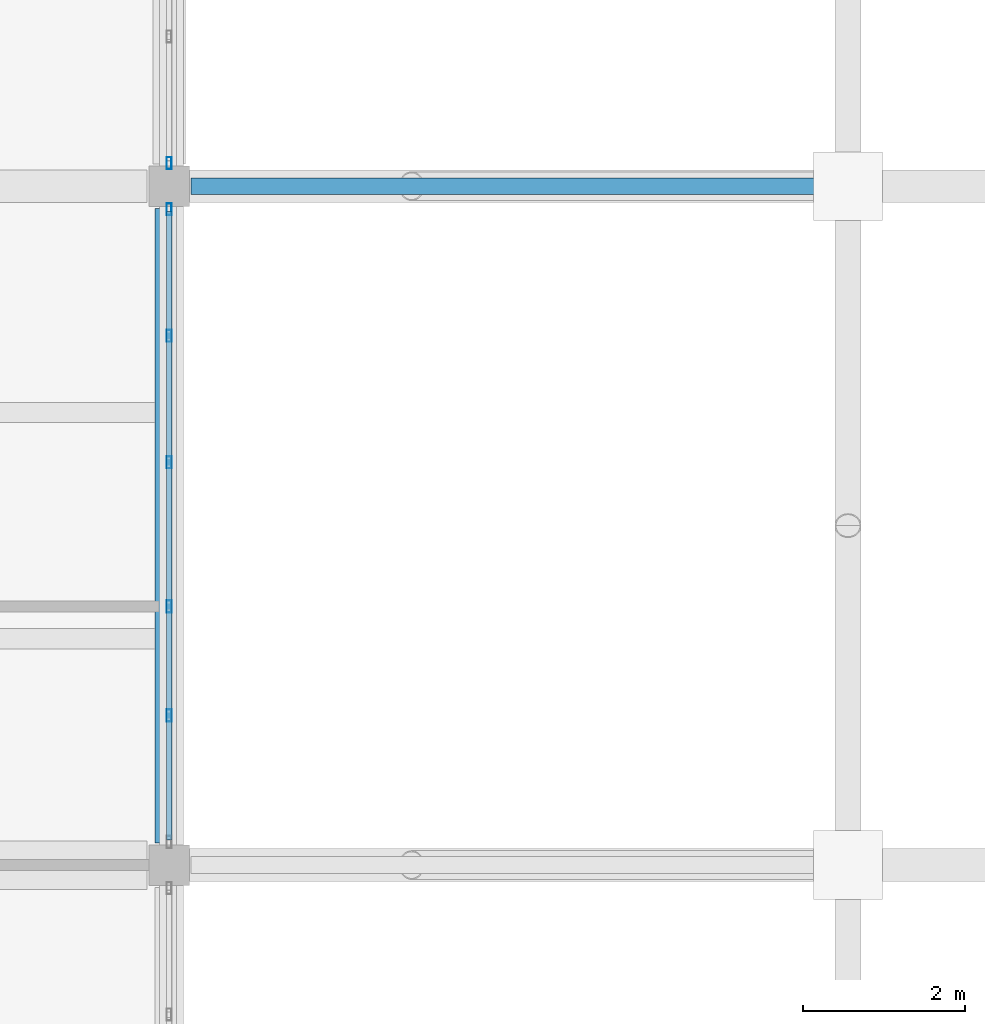
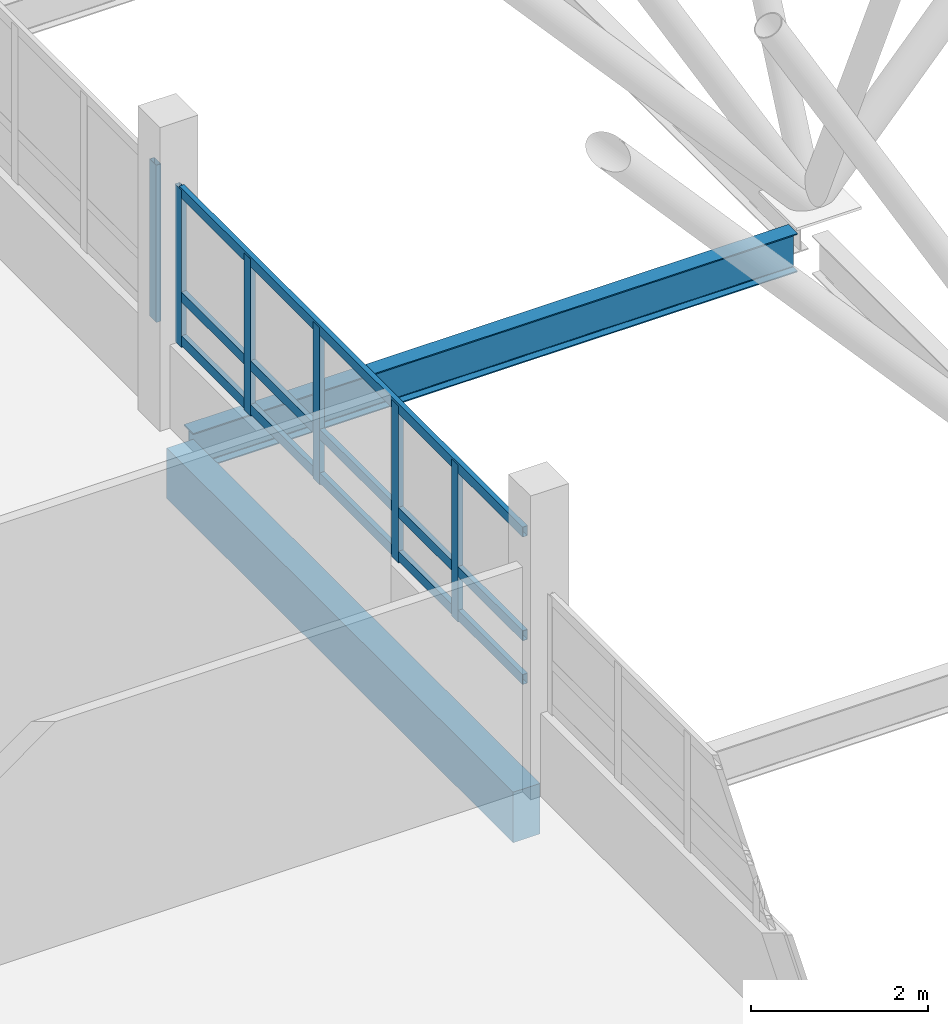
# One storey, part 24 of 107: 9 members, 2 beams, 2 elements without a shape of their own.
"""IFC4 building model written with IfcOpenShell, lengths in metres."""

from ifc_helpers import new_model, si_unit, direction, frame, origin, origin_2d, place, context, subcontext, project, spatial, rectangle, hollow_rectangle, i_section, extrude, material, layer, layer_set, material_profile, profile_set, type_object, element, aggregate, save


model = new_model("IFC4")

# Units and contexts
model_context = context("Model", 3, precision=1e-05, world=origin(), true_north=direction((0.0, 1.0)))
body_context = subcontext(model_context, "Body", "Model", "MODEL_VIEW")
ifc_project = project(units=[si_unit("LENGTHUNIT", "METRE"), si_unit("AREAUNIT", "SQUARE_METRE"), si_unit("VOLUMEUNIT", "CUBIC_METRE"), si_unit("PLANEANGLEUNIT", "RADIAN"), si_unit("MASSUNIT", "GRAM", prefix="KILO")], contexts=[model_context])

# Site, building, storey
site_placement = place(None, origin())
site = spatial("IfcSite", under=ifc_project, at=site_placement, CompositionType="ELEMENT")
building_placement = place(site_placement, origin())
building = spatial("IfcBuilding", under=site, at=building_placement, Name="Vireocrest Preparatory School", CompositionType="ELEMENT")
storey_placement = place(building_placement, frame((0.0, 0.0, 13.199951171875)))
storey = spatial("IfcBuildingStorey", under=building, at=storey_placement, Name="L03", CompositionType="ELEMENT", Elevation=13.199951171875)

# Curtain wall, members
ifc_material_1 = material(Name="Thermally broken aluminium EN AW-6063-T6", Category="aluminium")
ifc_layer = layer(ifc_material_1, 0.179931640625)
ifc_layer_set = layer_set([ifc_layer], Name="Thermally broken aluminium EN AW-6063-T6")
curtain_wall_type = type_object("IfcCurtainWallType", Name="Court Banded Curtain Wall 8400x3000", PredefinedType="USERDEFINED", material=ifc_layer_set)
curtain_wall_1_placement = place(storey_placement, origin())
curtain_wall_1 = element("IfcCurtainWall", 1, at=curtain_wall_1_placement, inside=storey, type_object=curtain_wall_type, Name="Curtain Wall CW02 CW_L03_CW02_0672_0608_144", ObjectType="CURTAIN WALL", PredefinedType="USERDEFINED")
ifc_material_profile_1 = material_profile(ifc_material_1, hollow_rectangle(XDim=0.06494140625, YDim=0.14990234375, WallThickness=0.00390625, at=origin_2d()), Name="ALU 65x150x4")
ifc_profile_set_1 = profile_set([ifc_material_profile_1], Name="Thermally broken aluminium EN AW-6063-T6")
member_type_1 = type_object("IfcMemberType", Name="CW Mullion 65x150x4", PredefinedType="MULLION", material=ifc_profile_set_1)
member_1_placement = place(storey_placement, frame((67.199951171875, 62.450927734375, 1.150146484375), z_axis=(0.0, 0.0, 1.0), x_axis=(1.0, 0.0, 0.0)))
member_1 = element("IfcMember", 2, at=member_1_placement, type_object=member_type_1, Name="CW Mullion ML1 CW_L03_CW02_0672_0608_144-2", PredefinedType="MULLION", context=body_context, shape_type="SweptSolid", body=[
    extrude(hollow_rectangle(XDim=0.06494140625, YDim=0.14990234375, WallThickness=0.00390625, at=origin_2d()), origin(), (0.0, 0.0, 1.0), 2.1748046875),
])
member_2_placement = place(storey_placement, frame((67.199951171875, 63.800048828125, 1.150146484375), z_axis=(0.0, 0.0, 1.0), x_axis=(1.0, 0.0, 0.0)))
member_2 = element("IfcMember", 3, at=member_2_placement, type_object=member_type_1, Name="CW Mullion ML1 CW_L03_CW02_0672_0608_144-3", PredefinedType="MULLION", context=body_context, shape_type="SweptSolid", body=[
    extrude(hollow_rectangle(XDim=0.06494140625, YDim=0.14990234375, WallThickness=0.00390625, at=origin_2d()), origin(), (0.0, 0.0, 1.0), 2.1748046875),
])
member_3_placement = place(storey_placement, frame((67.199951171875, 65.5830078125, 1.150146484375), z_axis=(0.0, 0.0, 1.0), x_axis=(1.0, 0.0, 0.0)))
member_3 = element("IfcMember", 4, at=member_3_placement, type_object=member_type_1, Name="CW Mullion ML1 CW_L03_CW02_0672_0608_144-4", PredefinedType="MULLION", context=body_context, shape_type="SweptSolid", body=[
    extrude(hollow_rectangle(XDim=0.06494140625, YDim=0.14990234375, WallThickness=0.00390625, at=origin_2d()), origin(), (0.0, 0.0, 1.0), 2.1748046875),
])
member_4_placement = place(storey_placement, frame((67.199951171875, 67.14892578125, 1.150146484375), z_axis=(0.0, 0.0, 1.0), x_axis=(1.0, 0.0, 0.0)))
member_4 = element("IfcMember", 5, at=member_4_placement, type_object=member_type_1, Name="CW Mullion ML1 CW_L03_CW02_0672_0608_144-5", PredefinedType="MULLION", context=body_context, shape_type="SweptSolid", body=[
    extrude(hollow_rectangle(XDim=0.06494140625, YDim=0.14990234375, WallThickness=0.00390625, at=origin_2d()), origin(), (0.0, 0.0, 1.0), 2.1748046875),
])
member_5_placement = place(storey_placement, frame((67.199951171875, 68.715087890625, 1.150146484375), z_axis=(0.0, 0.0, 1.0), x_axis=(1.0, 0.0, 0.0)))
member_5 = element("IfcMember", 6, at=member_5_placement, type_object=member_type_1, Name="CW Mullion ML1 CW_L03_CW02_0672_0608_144-6", PredefinedType="MULLION", context=body_context, shape_type="SweptSolid", body=[
    extrude(hollow_rectangle(XDim=0.06494140625, YDim=0.14990234375, WallThickness=0.00390625, at=origin_2d()), origin(), (0.0, 0.0, 1.0), 2.1748046875),
])

# Curtain wall, member
curtain_wall_2_placement = place(storey_placement, origin())
curtain_wall_2 = element("IfcCurtainWall", 7, at=curtain_wall_2_placement, inside=storey, type_object=curtain_wall_type, Name="Curtain Wall CW02 CW_L03_CW02_0672_0692_144", ObjectType="CURTAIN WALL", PredefinedType="USERDEFINED")
member_6_placement = place(storey_placement, frame((67.199951171875, 69.284912109375, 1.150146484375), z_axis=(0.0, 0.0, 1.0), x_axis=(1.0, 0.0, 0.0)))
member_6 = element("IfcMember", 8, at=member_6_placement, type_object=member_type_1, Name="CW Mullion ML1 CW_L03_CW02_0672_0692_144-1", PredefinedType="MULLION", context=body_context, shape_type="SweptSolid", body=[
    extrude(hollow_rectangle(XDim=0.06494140625, YDim=0.14990234375, WallThickness=0.00390625, at=origin_2d()), origin(), (0.0, 0.0, 1.0), 2.1748046875),
])
aggregate(curtain_wall_2, [member_6])

# Member
ifc_material_profile_2 = material_profile(ifc_material_1, hollow_rectangle(XDim=0.06494140625, YDim=0.139892578125, WallThickness=0.00390625, at=origin_2d()), Name="ALU 65x140x4")
ifc_profile_set_2 = profile_set([ifc_material_profile_2], Name="Thermally broken aluminium EN AW-6063-T6")
member_type_2 = type_object("IfcMemberType", Name="CW Transom 65x140x4", PredefinedType="USERDEFINED", material=ifc_profile_set_2)
member_7_placement = place(storey_placement, frame((67.199951171875, 60.909912109375, 1.2451171875), z_axis=(0.0, 1.0, 0.0), x_axis=(-1.0, 0.0, 0.0)))
member_7 = element("IfcMember", 9, at=member_7_placement, type_object=member_type_2, Name="CW Transom TR1 CW_L03_CW02_0672_0608_144-1", ObjectType="TRANSOM", PredefinedType="USERDEFINED", context=body_context, shape_type="SweptSolid", body=[
    extrude(hollow_rectangle(XDim=0.06494140625, YDim=0.139892578125, WallThickness=0.00390625, at=origin_2d()), origin(), (0.0, 0.0, 1.0), 7.780029296875),
])

member_8_placement = place(storey_placement, frame((67.199951171875, 60.909912109375, 1.85009765625), z_axis=(0.0, 1.0, 0.0), x_axis=(-1.0, 0.0, 0.0)))
member_8 = element("IfcMember", 10, at=member_8_placement, type_object=member_type_2, Name="CW Transom TR1 CW_L03_CW02_0672_0608_144-2", ObjectType="TRANSOM", PredefinedType="USERDEFINED", context=body_context, shape_type="SweptSolid", body=[
    extrude(hollow_rectangle(XDim=0.06494140625, YDim=0.139892578125, WallThickness=0.00390625, at=origin_2d()), origin(), (0.0, 0.0, 1.0), 7.780029296875),
])

member_9_placement = place(storey_placement, frame((67.199951171875, 60.909912109375, 3.28515625), z_axis=(0.0, 1.0, 0.0), x_axis=(-1.0, 0.0, 0.0)))
member_9 = element("IfcMember", 11, at=member_9_placement, type_object=member_type_2, Name="CW Transom TR1 CW_L03_CW02_0672_0608_144-3", ObjectType="TRANSOM", PredefinedType="USERDEFINED", context=body_context, shape_type="SweptSolid", body=[
    extrude(hollow_rectangle(XDim=0.06494140625, YDim=0.139892578125, WallThickness=0.00390625, at=origin_2d()), origin(), (0.0, 0.0, 1.0), 7.780029296875),
])

aggregate(curtain_wall_1, [member_1, member_2, member_3, member_4, member_5, member_7, member_8, member_9])

# Beams
ifc_material_2 = material(Name="Structural steel ASTM A992 Grade 50", Category="steel")
ifc_material_profile_3 = material_profile(ifc_material_2, i_section(OverallWidth=0.208984375, OverallDepth=0.532958984375, WebThickness=0.01025390625, FlangeThickness=0.015625, FilletRadius=0.014892578125, at=origin_2d()), Name="W21X62")
ifc_profile_set_3 = profile_set([ifc_material_profile_3], Name="Structural steel ASTM A992 Grade 50")
beam_type_1 = type_object("IfcBeamType", Name="Court Tie Girder W21X62", PredefinedType="BEAM", material=ifc_profile_set_3)
beam_1_placement = place(storey_placement, frame((67.469970703125, 69.0, -0.56640625), z_axis=(1.0, 0.0, 0.0), x_axis=(0.0, 1.0, 0.0)))
element("IfcBeam", 12, at=beam_1_placement, inside=storey, type_object=beam_type_1, Name="Court Trunk Lateral Tie Girder SB5 W6 L03", PredefinedType="BEAM", context=body_context, shape_type="SweptSolid", body=[
    extrude(i_section(OverallWidth=0.208984375, OverallDepth=0.532958984375, WebThickness=0.01025390625, FlangeThickness=0.015625, FilletRadius=0.014892578125, at=origin_2d()), origin(), (0.0, 0.0, 1.0), 7.906494140625),
])
ifc_material_3 = material(Name="Concrete 40 MPa", Category="concrete")
ifc_material_profile_4 = material_profile(ifc_material_3, rectangle(XDim=0.35009765625, YDim=0.699951171875, at=origin_2d()), Name="RC 350x700")
ifc_profile_set_4 = profile_set([ifc_material_profile_4], Name="Concrete 40 MPa")
beam_type_2 = type_object("IfcBeamType", Name="RC Laboratory Girder 350x700", PredefinedType="BEAM", material=ifc_profile_set_4)
beam_2_placement = place(storey_placement, frame((67.199951171875, 60.875, -0.58984375), z_axis=(0.0, 1.0, 0.0), x_axis=(-1.0, 0.0, 0.0)))
element("IfcBeam", 13, at=beam_2_placement, inside=storey, type_object=beam_type_2, Name="Primary Girder B06 L03-1133", PredefinedType="BEAM", context=body_context, shape_type="SweptSolid", body=[
    extrude(rectangle(XDim=0.35009765625, YDim=0.699951171875, at=origin_2d()), origin(), (0.0, 0.0, 1.0), 7.85009765625),
])

save(model, "model.ifc")
